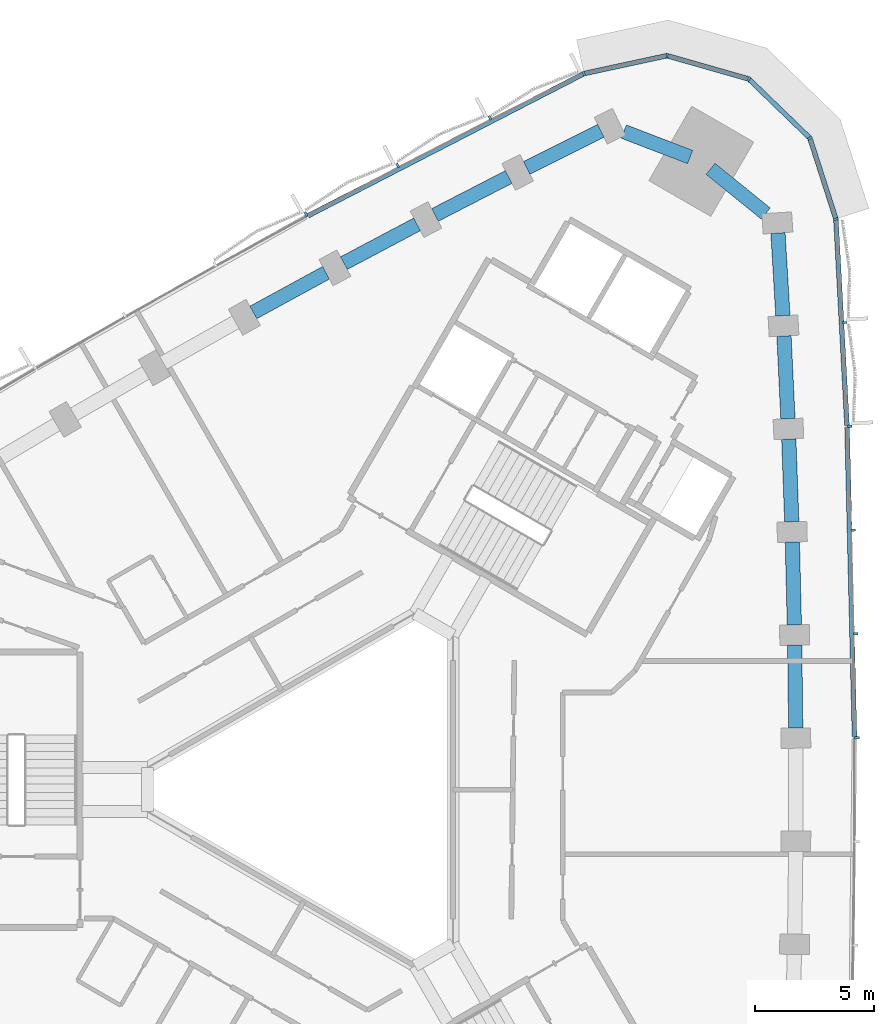
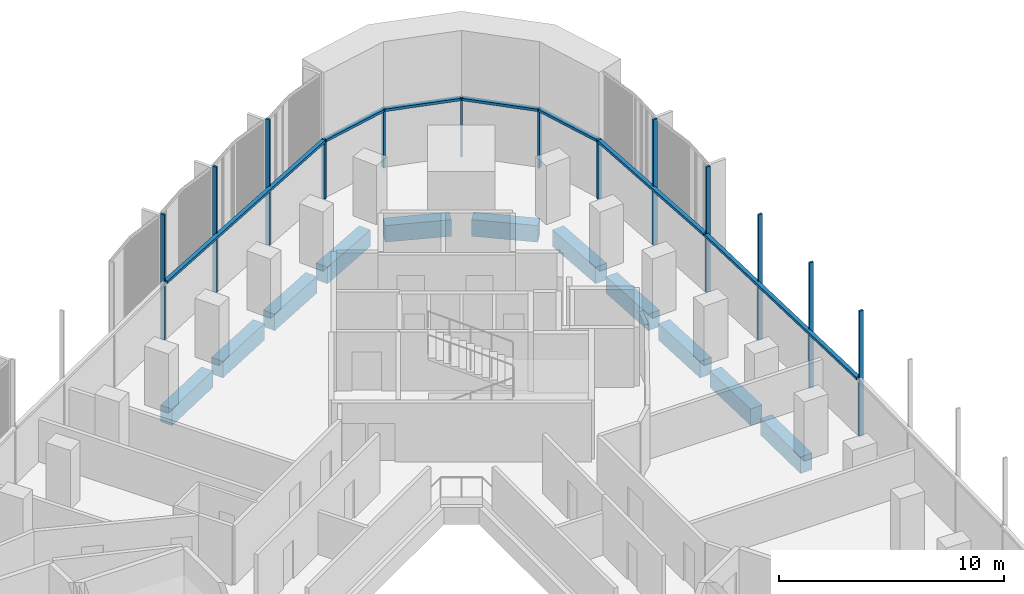
# One storey, part 5 of 14: 20 members, 11 beams, 2 elements without a shape of their own.
"""IFC4 building model written with IfcOpenShell, lengths in metres."""

import ifcopenshell
import ifcopenshell.guid

model = None  # the IFC model being written
_history = None  # IfcOwnerHistory: only IFC2X3 demands one
_inside = {}  # id of a spatial element -> (the spatial element, [elements in it])
_under = {}  # id of a project, library or spatial element -> (it, [spatial elements below it])
_declared = {}  # id of a project -> (the project, [libraries it declares])
_typed = {}  # id of a type object -> (the type object, [elements of that type])
_made_of = {}  # id of a material, layer set ... -> (it, [elements and type objects made of it])


def new_model(schema):
    """Start an empty IFC model of exactly this schema.

    Asked for "IFC4X3", IfcOpenShell would pick the latest addendum, in which some entities
    have other attributes; the version numbers below select the first issue.
    IFC2X3 requires an IfcOwnerHistory on every rooted entity: one is made here for all.
    """
    global model, _history
    if schema == "IFC4X3":
        model = ifcopenshell.file(schema_version=(4, 3, 0, 0))
    else:
        model = ifcopenshell.file(schema=schema)
    _inside.clear()
    _under.clear()
    _declared.clear()
    _typed.clear()
    _made_of.clear()
    _history = None
    if model.schema == "IFC2X3":
        org = make("IfcOrganization", Name="unknown")
        user = make(
            "IfcPersonAndOrganization",
            ThePerson=make("IfcPerson", FamilyName="unknown"),
            TheOrganization=org,
        )
        app = make(
            "IfcApplication",
            ApplicationDeveloper=org,
            Version="unknown",
            ApplicationFullName="unknown",
            ApplicationIdentifier="unknown",
        )
        _history = make(
            "IfcOwnerHistory",
            OwningUser=user,
            OwningApplication=app,
            ChangeAction="ADDED",
            CreationDate=0,
        )
    return model


def make(cls, **values):
    """One entity of the class cls with the attributes given. An attribute that is None is left unset."""
    return model.create_entity(
        cls, **{name: value for name, value in values.items() if value is not None}
    )


def rooted(cls, **values):
    """An entity with a GlobalId (a new one), such as an element, a storey or a relation."""
    return make(cls, GlobalId=ifcopenshell.guid.new(), OwnerHistory=_history, **values)


def si_unit(unit_type, name, prefix=None):
    """IfcSIUnit, for example si_unit("LENGTHUNIT", "METRE", prefix="MILLI")."""
    return make("IfcSIUnit", UnitType=unit_type, Prefix=prefix, Name=name)


def assignment(units):
    """IfcUnitAssignment: the units of a project."""
    return None if units is None else make("IfcUnitAssignment", Units=units)


def point(xyz):
    """IfcCartesianPoint."""
    return None if xyz is None else make("IfcCartesianPoint", Coordinates=xyz)


def direction(xyz):
    """IfcDirection."""
    return None if xyz is None else make("IfcDirection", DirectionRatios=xyz)


def frame(location, z_axis=None, x_axis=None):
    """IfcAxis2Placement3D, a coordinate frame: its origin and axes. An axis left out is left unset."""
    return make(
        "IfcAxis2Placement3D",
        Location=point(location),
        Axis=direction(z_axis),
        RefDirection=direction(x_axis),
    )


def frame_2d(location, x_axis=None):
    """IfcAxis2Placement2D, a coordinate frame in the plane: its origin and x axis."""
    return make(
        "IfcAxis2Placement2D", Location=point(location), RefDirection=direction(x_axis)
    )


def origin():
    """The frame at (0, 0, 0) with its axes left unset."""
    return frame((0.0, 0.0, 0.0))


def origin_2d():
    """The frame at (0, 0) in the plane with its x axis left unset."""
    return frame_2d((0.0, 0.0))


def place(relative_to, where):
    """IfcLocalPlacement: puts the frame where relative to a parent placement (None: the world)."""
    return make(
        "IfcLocalPlacement", PlacementRelTo=relative_to, RelativePlacement=where
    )


def context(
    kind, dimensions, precision=None, world=None, true_north=None, identifier=None
):
    """IfcGeometricRepresentationContext, for example the 3D "Model" context."""
    return make(
        "IfcGeometricRepresentationContext",
        ContextIdentifier=identifier,
        ContextType=kind,
        CoordinateSpaceDimension=dimensions,
        Precision=precision,
        WorldCoordinateSystem=world,
        TrueNorth=true_north,
    )


def subcontext(parent, identifier, kind, view, scale=None):
    """IfcGeometricRepresentationSubContext, for example "Body" below "Model"."""
    return make(
        "IfcGeometricRepresentationSubContext",
        ContextIdentifier=identifier,
        ContextType=kind,
        ParentContext=parent,
        TargetScale=scale,
        TargetView=view,
    )


def project(units=None, contexts=None):
    """IfcProject with its units and contexts."""
    return rooted(
        "IfcProject",
        Name="project",
        RepresentationContexts=contexts,
        UnitsInContext=assignment(units),
    )


def spatial(cls, under=None, at=None, **own):
    """A site, building, storey or space (cls), placed at a placement, below another one or the project."""
    s = rooted(cls, ObjectPlacement=at, **own)
    if under is not None:
        _under.setdefault(under.id(), (under, []))[1].append(s)
    return s


def profile(cls, at=None, kind="AREA", **sizes):
    """A parametric profile (cls). Its sizes go by their IFC names, for example OverallWidth=200.0."""
    return make(cls, ProfileType=kind, Position=at, **sizes)


def rectangle(**sizes):
    """IfcRectangleProfileDef."""
    return profile("IfcRectangleProfileDef", **sizes)


def extrude(swept, where, along, depth):
    """IfcExtrudedAreaSolid: the profile swept, set in the frame where, extruded along a direction by depth."""
    return make(
        "IfcExtrudedAreaSolid",
        SweptArea=swept,
        Position=where,
        ExtrudedDirection=direction(along),
        Depth=depth,
    )


def shape(context_of_items, identifier, shape_type, items):
    """IfcShapeRepresentation: the items that make up one representation, for example the "Body"."""
    return make(
        "IfcShapeRepresentation",
        ContextOfItems=context_of_items,
        RepresentationIdentifier=identifier,
        RepresentationType=shape_type,
        Items=items,
    )


def material(Name=None, Category=None):
    """IfcMaterial."""
    return make("IfcMaterial", Name=Name, Category=Category)


def material_profile(
    of_material, cross_section, Name=None, Category=None, Priority=None
):
    """IfcMaterialProfile: a cross section and its material."""
    return make(
        "IfcMaterialProfile",
        Name=Name,
        Material=of_material,
        Profile=cross_section,
        Priority=Priority,
        Category=Category,
    )


def profile_set(profiles, Name=None, composite=None):
    """IfcMaterialProfileSet."""
    return make(
        "IfcMaterialProfileSet",
        Name=Name,
        MaterialProfiles=profiles,
        CompositeProfile=composite,
    )


def made_of(thing, what):
    """Note that an element or type object is made of a material, layer set ...; save() writes the relation."""
    if what is not None:
        _made_of.setdefault(what.id(), (what, []))[1].append(thing)
    return thing


def type_object(cls, material=None, **own):
    """A type object (cls), such as IfcWallType, which elements share."""
    return made_of(rooted(cls, **own), material)


def element(
    cls,
    number,
    at=None,
    inside=None,
    cuts=None,
    type_object=None,
    material=None,
    context=None,
    identifier="Body",
    shape_type=None,
    held_by="IfcProductDefinitionShape",
    body=None,
    shapes=None,
    **own,
):
    """One element of the class cls, such as IfcWall. Its Tag is "e" and its number.

    at: its placement. inside: the storey or other place that contains it. cuts: it is an
    opening in that element (IfcRelVoidsElement). A single representation is given by context,
    identifier, shape_type and body (its items); several are given by shapes. held_by: the class
    of the entity that holds the representations. save() writes the other relations.
    """
    e = rooted(cls, Tag="e%d" % number, ObjectPlacement=at, **own)
    if body is not None:
        shapes = [shape(context, identifier, shape_type, body)]
    if shapes is not None:
        e.Representation = make(held_by, Representations=shapes)
    if inside is not None:
        _inside.setdefault(inside.id(), (inside, []))[1].append(e)
    if cuts is not None:
        rooted(
            "IfcRelVoidsElement", RelatingBuildingElement=cuts, RelatedOpeningElement=e
        )
    if type_object is not None:
        _typed.setdefault(type_object.id(), (type_object, []))[1].append(e)
    return made_of(e, material)


def aggregate(whole, parts):
    """IfcRelAggregates: a whole, such as a stair, and the parts it consists of."""
    return rooted("IfcRelAggregates", RelatingObject=whole, RelatedObjects=parts)


def save(model, path):
    """Write the relations noted so far, then the file.

    IfcRelAggregates (storeys below a building ...), IfcRelContainedInSpatialStructure (elements
    in a storey), IfcRelDefinesByType, IfcRelAssociatesMaterial and IfcRelDeclares: one each for
    every whole, place, type object, material and project.
    """
    for whole, parts in _under.values():
        aggregate(whole, parts)
    for where, things in _inside.values():
        rooted(
            "IfcRelContainedInSpatialStructure",
            RelatedElements=things,
            RelatingStructure=where,
        )
    for kind, things in _typed.values():
        rooted("IfcRelDefinesByType", RelatedObjects=things, RelatingType=kind)
    for what, things in _made_of.values():
        rooted("IfcRelAssociatesMaterial", RelatedObjects=things, RelatingMaterial=what)
    for by, libraries in _declared.values():
        rooted("IfcRelDeclares", RelatingContext=by, RelatedDefinitions=libraries)
    model.write(path)


model = new_model("IFC4")

# Units and contexts
model_context = context("Model", 3, precision=1e-05, world=origin(), true_north=direction((0.0, 1.0)))
body_context = subcontext(model_context, "Body", "Model", "MODEL_VIEW")
ifc_project = project(units=[si_unit("LENGTHUNIT", "METRE"), si_unit("AREAUNIT", "SQUARE_METRE"), si_unit("VOLUMEUNIT", "CUBIC_METRE"), si_unit("PLANEANGLEUNIT", "RADIAN"), si_unit("MASSUNIT", "GRAM", prefix="KILO")], contexts=[model_context])

# Site, building, storey
site_placement = place(None, origin())
site = spatial("IfcSite", under=ifc_project, at=site_placement, CompositionType="ELEMENT")
building_placement = place(site_placement, origin())
building = spatial("IfcBuilding", under=site, at=building_placement, Name="Tamra Quay Hotel Tower", CompositionType="ELEMENT")
storey_placement = place(building_placement, frame((0.0, 0.0, 139.60009765625)))
storey = spatial("IfcBuildingStorey", under=building, at=storey_placement, Name="L34", CompositionType="ELEMENT", Elevation=139.60009765625)

# Curtain wall, members
ifc_material_1 = material(Name="Aluminium 6063 anodised dark grey", Category="aluminium")
curtain_wall_type_1 = type_object("IfcCurtainWallType", Name="CW1 CURTAIN WALL", PredefinedType="NOTDEFINED", material=ifc_material_1)
curtain_wall_1_placement = place(storey_placement, origin())
curtain_wall_1 = element("IfcCurtainWall", 1, at=curtain_wall_1_placement, inside=storey, type_object=curtain_wall_type_1, Name="CW1 east face L34", PredefinedType="NOTDEFINED")
ifc_material_profile_1 = material_profile(ifc_material_1, rectangle(XDim=0.199951171875, YDim=0.10009765625, at=origin_2d()), Name="MULLION 100X200")
ifc_profile_set_1 = profile_set([ifc_material_profile_1], Name="Aluminium 6063 anodised dark grey")
member_type_1 = type_object("IfcMemberType", Name="MULLION CW1 Z3", PredefinedType="MULLION", material=ifc_profile_set_1)
member_1_placement = place(storey_placement, frame((21.7314453125, 2.177001953125, 0.0), z_axis=(0.0, 0.0, 1.0), x_axis=(0.999982128389, 0.005978536749, 0.0)))
member_1 = element("IfcMember", 2, at=member_1_placement, type_object=member_type_1, Name="CW1 mullion L34.E.7", PredefinedType="MULLION", context=body_context, shape_type="SweptSolid", body=[
    extrude(rectangle(XDim=0.199951171875, YDim=0.10009765625, at=origin_2d()), origin(), (0.0, 0.0, 1.0), 6.7998046875),
])
member_2_placement = place(storey_placement, frame((21.679443359375, 6.52880859375, 0.0), z_axis=(0.0, 0.0, 1.0), x_axis=(0.999839304234, 0.017926675875, 0.0)))
member_2 = element("IfcMember", 3, at=member_2_placement, type_object=member_type_1, Name="CW1 mullion L34.E.8", PredefinedType="MULLION", context=body_context, shape_type="SweptSolid", body=[
    extrude(rectangle(XDim=0.199951171875, YDim=0.10009765625, at=origin_2d()), origin(), (0.0, 0.0, 1.0), 6.7998046875),
])
member_3_placement = place(storey_placement, frame((21.575439453125, 10.88134765625, 0.0), z_axis=(0.0, 0.0, 1.0), x_axis=(0.999553757047, 0.029871169599, 0.0)))
member_3 = element("IfcMember", 4, at=member_3_placement, type_object=member_type_1, Name="CW1 mullion L34.E.9", PredefinedType="MULLION", context=body_context, shape_type="SweptSolid", body=[
    extrude(rectangle(XDim=0.199951171875, YDim=0.10009765625, at=origin_2d()), origin(), (0.0, 0.0, 1.0), 6.7998046875),
])
member_4_placement = place(storey_placement, frame((21.41943359375, 15.232421875, 0.0), z_axis=(0.0, 0.0, 1.0), x_axis=(0.99912611643, 0.041797170557, 0.0)))
member_4 = element("IfcMember", 5, at=member_4_placement, type_object=member_type_1, Name="CW1 mullion L34.E.10", PredefinedType="MULLION", context=body_context, shape_type="SweptSolid", body=[
    extrude(rectangle(XDim=0.199951171875, YDim=0.10009765625, at=origin_2d()), origin(), (0.0, 0.0, 1.0), 6.7998046875),
])
member_5_placement = place(storey_placement, frame((21.211669921875, 19.57958984375, 0.0), z_axis=(0.0, 0.0, 1.0), x_axis=(0.99855735675, 0.053695486602, 0.0)))
member_5 = element("IfcMember", 6, at=member_5_placement, type_object=member_type_1, Name="CW1 mullion L34.E.11", PredefinedType="MULLION", context=body_context, shape_type="SweptSolid", body=[
    extrude(rectangle(XDim=0.199951171875, YDim=0.10009765625, at=origin_2d()), origin(), (0.0, 0.0, 1.0), 6.7998046875),
])
member_6_placement = place(storey_placement, frame((20.852294921875, 23.918212890625, 0.0), z_axis=(0.0, 0.0, 1.0), x_axis=(0.982883217826, 0.184229693905, 0.0)))
member_6 = element("IfcMember", 7, at=member_6_placement, type_object=member_type_1, Name="CW1 mullion L34.E.12", PredefinedType="MULLION", context=body_context, shape_type="SweptSolid", body=[
    extrude(rectangle(XDim=0.199951171875, YDim=0.10009765625, at=origin_2d()), origin(), (0.0, 0.0, 1.0), 3.199951171875),
])
member_7_placement = place(storey_placement, frame((19.76171875, 27.312255859375, 0.0), z_axis=(0.0, 0.0, 1.0), x_axis=(0.849197833806, 0.52807484229, 0.0)))
member_7 = element("IfcMember", 8, at=member_7_placement, type_object=member_type_1, Name="CW1 mullion L34.E.13", PredefinedType="MULLION", context=body_context, shape_type="SweptSolid", body=[
    extrude(rectangle(XDim=0.199951171875, YDim=0.10009765625, at=origin_2d()), origin(), (0.0, 0.0, 1.0), 3.199951171875),
])
member_8_placement = place(storey_placement, frame((17.199951171875, 29.791259765625, 0.0), z_axis=(0.0, 0.0, 1.0), x_axis=(0.5, 0.866025403784, 0.0)))
member_8 = element("IfcMember", 9, at=member_8_placement, type_object=member_type_1, Name="CW1 mullion L34.E.14", PredefinedType="MULLION", context=body_context, shape_type="SweptSolid", body=[
    extrude(rectangle(XDim=0.199951171875, YDim=0.10009765625, at=origin_2d()), origin(), (0.0, 0.0, 1.0), 3.199951171875),
])
member_9_placement = place(storey_placement, frame((13.772216796875, 30.770263671875, 0.0), z_axis=(0.0, 0.0, 1.0), x_axis=(0.032727311619, 0.99946431806, 0.0)))
member_9 = element("IfcMember", 10, at=member_9_placement, type_object=member_type_1, Name="CW1 mullion L34.E.15", PredefinedType="MULLION", context=body_context, shape_type="SweptSolid", body=[
    extrude(rectangle(XDim=0.199951171875, YDim=0.10009765625, at=origin_2d()), origin(), (0.0, 0.0, 1.0), 3.199951171875),
])

curtain_wall_type_2 = type_object("IfcCurtainWallType", Name="CW2 CURTAIN WALL", PredefinedType="NOTDEFINED", material=ifc_material_1)
curtain_wall_2_placement = place(storey_placement, origin())
curtain_wall_2 = element("IfcCurtainWall", 11, at=curtain_wall_2_placement, inside=storey, type_object=curtain_wall_type_2, Name="CW2 north-west face L34", PredefinedType="NOTDEFINED")
ifc_material_profile_2 = material_profile(ifc_material_1, rectangle(XDim=0.199951171875, YDim=0.10009765625, at=origin_2d()), Name="MULLION 100X200")
ifc_profile_set_2 = profile_set([ifc_material_profile_2], Name="Aluminium 6063 anodised dark grey")
member_type_2 = type_object("IfcMemberType", Name="MULLION CW2 Z3", PredefinedType="MULLION", material=ifc_profile_set_2)
member_10_placement = place(storey_placement, frame((10.28759765625, 30.017578125, 0.0), z_axis=(0.0, 0.0, 1.0), x_axis=(-0.33189401386, 0.943316682543, 0.0)))
member_10 = element("IfcMember", 12, at=member_10_placement, type_object=member_type_2, Name="CW2 mullion L34.NW.1", PredefinedType="MULLION", context=body_context, shape_type="SweptSolid", body=[
    extrude(rectangle(XDim=0.199951171875, YDim=0.10009765625, at=origin_2d()), origin(), (0.0, 0.0, 1.0), 3.199951171875),
])
member_11_placement = place(storey_placement, frame((6.3505859375, 28.15966796875, 0.0), z_axis=(0.0, 0.0, 1.0), x_axis=(-0.452777022909, 0.891623781382, 0.0)))
member_11 = element("IfcMember", 13, at=member_11_placement, type_object=member_type_2, Name="CW2 mullion L34.NW.2", PredefinedType="MULLION", context=body_context, shape_type="SweptSolid", body=[
    extrude(rectangle(XDim=0.199951171875, YDim=0.10009765625, at=origin_2d()), origin(), (0.0, 0.0, 1.0), 6.7998046875),
])
member_12_placement = place(storey_placement, frame((2.48193359375, 26.166015625, 0.0), z_axis=(0.0, 0.0, 1.0), x_axis=(-0.463365646706, 0.886167183692, 0.0)))
member_12 = element("IfcMember", 14, at=member_12_placement, type_object=member_type_2, Name="CW2 mullion L34.NW.3", PredefinedType="MULLION", context=body_context, shape_type="SweptSolid", body=[
    extrude(rectangle(XDim=0.199951171875, YDim=0.10009765625, at=origin_2d()), origin(), (0.0, 0.0, 1.0), 6.7998046875),
])
member_13_placement = place(storey_placement, frame((-1.3642578125, 24.12548828125, 0.0), z_axis=(0.0, 0.0, 1.0), x_axis=(-0.47390768681, 0.88057453085, 0.0)))
member_13 = element("IfcMember", 15, at=member_13_placement, type_object=member_type_2, Name="CW2 mullion L34.NW.4", PredefinedType="MULLION", context=body_context, shape_type="SweptSolid", body=[
    extrude(rectangle(XDim=0.199951171875, YDim=0.10009765625, at=origin_2d()), origin(), (0.0, 0.0, 1.0), 6.7998046875),
])

# Beams
ifc_material_2 = material(Name="Concrete M60", Category="concrete")
ifc_material_profile_3 = material_profile(ifc_material_2, rectangle(XDim=0.60009765625, YDim=0.89990234375, at=origin_2d()), Name="SPANDREL BEAM RC 600x900")
ifc_profile_set_3 = profile_set([ifc_material_profile_3], Name="Concrete M60")
beam_type = type_object("IfcBeamType", Name="SPANDREL BEAM RC 600x900", PredefinedType="SPANDREL", material=ifc_profile_set_3)
beam_1_placement = place(storey_placement, frame((19.165771484375, 2.586181640625, -0.85009765625), z_axis=(-0.011951617666, 0.999928576867, 0.0), x_axis=(-0.999928576867, -0.011951617666, 0.0)))
element("IfcBeam", 16, at=beam_1_placement, inside=storey, type_object=beam_type, Name="BM-SP3-006-L34", PredefinedType="SPANDREL", context=body_context, shape_type="SweptSolid", body=[
    extrude(rectangle(XDim=0.60009765625, YDim=0.89990234375, at=origin_2d()), origin(), (0.0, 0.0, 1.0), 3.47265625),
])
beam_2_placement = place(storey_placement, frame((19.10888671875, 6.90869140625, -0.85009765625), z_axis=(-0.023906514803, 0.999714198434, 0.0), x_axis=(-0.999714198434, -0.023906514803, 0.0)))
element("IfcBeam", 17, at=beam_2_placement, inside=storey, type_object=beam_type, Name="BM-SP3-007-L34", PredefinedType="SPANDREL", context=body_context, shape_type="SweptSolid", body=[
    extrude(rectangle(XDim=0.60009765625, YDim=0.89990234375, at=origin_2d()), origin(), (0.0, 0.0, 1.0), 3.47216796875),
])
beam_3_placement = place(storey_placement, frame((19.00048828125, 11.2294921875, -0.85009765625), z_axis=(-0.035786826945, 0.999359446354, 0.0), x_axis=(-0.999359446354, -0.035786826945, 0.0)))
element("IfcBeam", 18, at=beam_3_placement, inside=storey, type_object=beam_type, Name="BM-SP3-008-L34", PredefinedType="SPANDREL", context=body_context, shape_type="SweptSolid", body=[
    extrude(rectangle(XDim=0.60009765625, YDim=0.89990234375, at=origin_2d()), origin(), (0.0, 0.0, 1.0), 3.472412109375),
])
beam_4_placement = place(storey_placement, frame((18.840576171875, 15.548828125, -0.85009765625), z_axis=(-0.047732145575, 0.998860171535, 0.0), x_axis=(-0.998860171535, -0.047732145575, 0.0)))
element("IfcBeam", 19, at=beam_4_placement, inside=storey, type_object=beam_type, Name="BM-SP3-009-L34", PredefinedType="SPANDREL", context=body_context, shape_type="SweptSolid", body=[
    extrude(rectangle(XDim=0.60009765625, YDim=0.89990234375, at=origin_2d()), origin(), (0.0, 0.0, 1.0), 3.472900390625),
])
beam_5_placement = place(storey_placement, frame((18.629150390625, 19.86669921875, -0.85009765625), z_axis=(-0.059620475238, 0.998221117254, 0.0), x_axis=(-0.998221117254, -0.059620475238, 0.0)))
element("IfcBeam", 20, at=beam_5_placement, inside=storey, type_object=beam_type, Name="BM-SP3-010-L34", PredefinedType="SPANDREL", context=body_context, shape_type="SweptSolid", body=[
    extrude(rectangle(XDim=0.60009765625, YDim=0.89990234375, at=origin_2d()), origin(), (0.0, 0.0, 1.0), 3.472412109375),
])
beam_6_placement = place(storey_placement, frame((17.909912109375, 24.151123046875, -0.85009765625), z_axis=(-0.777183767602, 0.629273701482, 0.0), x_axis=(-0.629273701482, -0.777183767602, 0.0)))
element("IfcBeam", 21, at=beam_6_placement, inside=storey, type_object=beam_type, Name="BM-SP3-011-L34", PredefinedType="SPANDREL", context=body_context, shape_type="SweptSolid", body=[
    extrude(rectangle(XDim=0.60009765625, YDim=0.89990234375, at=origin_2d()), origin(), (0.0, 0.0, 1.0), 2.977783203125),
])
beam_7_placement = place(storey_placement, frame((14.74072265625, 26.5185546875, -0.85009765625), z_axis=(-0.933527198951, 0.358506581278, 0.0), x_axis=(-0.358506581278, -0.933527198951, 0.0)))
element("IfcBeam", 22, at=beam_7_placement, inside=storey, type_object=beam_type, Name="BM-SP3-012-L34", PredefinedType="SPANDREL", context=body_context, shape_type="SweptSolid", body=[
    extrude(rectangle(XDim=0.60009765625, YDim=0.89990234375, at=origin_2d()), origin(), (0.0, 0.0, 1.0), 2.97802734375),
])
beam_8_placement = place(storey_placement, frame((10.995849609375, 27.620361328125, -0.85009765625), z_axis=(-0.894314670292, -0.447438566174, 0.0), x_axis=(0.447438566174, -0.894314670292, 0.0)))
element("IfcBeam", 23, at=beam_8_placement, inside=storey, type_object=beam_type, Name="BM-SP3-013-L34", PredefinedType="SPANDREL", context=body_context, shape_type="SweptSolid", body=[
    extrude(rectangle(XDim=0.60009765625, YDim=0.89990234375, at=origin_2d()), origin(), (0.0, 0.0, 1.0), 3.472412109375),
])
beam_9_placement = place(storey_placement, frame((7.132568359375, 25.681640625, -0.85009765625), z_axis=(-0.888919913451, -0.458062645792, 0.0), x_axis=(0.458062645792, -0.888919913451, 0.0)))
element("IfcBeam", 24, at=beam_9_placement, inside=storey, type_object=beam_type, Name="BM-SP3-014-L34", PredefinedType="SPANDREL", context=body_context, shape_type="SweptSolid", body=[
    extrude(rectangle(XDim=0.60009765625, YDim=0.89990234375, at=origin_2d()), origin(), (0.0, 0.0, 1.0), 3.472900390625),
])
for number, where, z_axis, x_axis, name in (
    (25, (3.292236328125, 23.697021484375, -0.85009765625), (-0.883411391477, -0.468598243071, 0.0), (0.468598243071, -0.883411391477, 0.0), "BM-SP3-015-L34"),
    (26, (-0.523681640625, 21.6669921875, -0.85009765625), (-0.877731617539, -0.479152593202, 0.0), (0.479152593202, -0.877731617539, 0.0), "BM-SP3-016-L34"),
):
    element("IfcBeam", number, at=place(storey_placement, frame(where, z_axis=z_axis, x_axis=x_axis)), inside=storey, type_object=beam_type, Name=name, PredefinedType="SPANDREL", context=body_context, shape_type="SweptSolid", body=[
        extrude(rectangle(XDim=0.60009765625, YDim=0.89990234375, at=origin_2d()), origin(), (0.0, 0.0, 1.0), 3.472412109375),
    ])

# Member
ifc_material_profile_4 = material_profile(ifc_material_1, rectangle(XDim=0.199951171875, YDim=0.139892578125, at=origin_2d()), Name="TRANSOM 200X140")
ifc_profile_set_4 = profile_set([ifc_material_profile_4], Name="Aluminium 6063 anodised dark grey")
member_type_3 = type_object("IfcMemberType", Name="TRANSOM CW1 Z3", PredefinedType="USERDEFINED", material=ifc_profile_set_4)
member_14_placement = place(storey_placement, frame((21.630859375, 2.226318359375, 3.1298828125), z_axis=(-0.023894704372, 0.999714480791, 0.0), x_axis=(-0.999714480791, -0.023894704372, 0.0)))
member_14 = element("IfcMember", 27, at=member_14_placement, type_object=member_type_3, Name="CW1 transom L34.E.7", ObjectType="TRANSOM", PredefinedType="USERDEFINED", context=body_context, shape_type="SweptSolid", body=[
    extrude(rectangle(XDim=0.199951171875, YDim=0.139892578125, at=origin_2d()), origin(), (0.0, 0.0, 1.0), 12.95556640625),
])

member_15_placement = place(storey_placement, frame((21.317138671875, 15.278076171875, 3.1298828125), z_axis=(-0.053693818243, 0.998557446461, 0.0), x_axis=(-0.998557446461, -0.053693818243, 0.0)))
member_15 = element("IfcMember", 28, at=member_15_placement, type_object=member_type_3, Name="CW1 transom L34.E.10", ObjectType="TRANSOM", PredefinedType="USERDEFINED", context=body_context, shape_type="SweptSolid", body=[
    extrude(rectangle(XDim=0.199951171875, YDim=0.139892578125, at=origin_2d()), origin(), (0.0, 0.0, 1.0), 8.602783203125),
])

member_16_placement = place(storey_placement, frame((20.8369140625, 23.9658203125, 3.1298828125), z_axis=(-0.305936194626, 0.952052017916, 0.0), x_axis=(-0.952052017916, -0.305936194626, 0.0)))
member_16 = element("IfcMember", 29, at=member_16_placement, type_object=member_type_3, Name="CW1 transom L34.E.12", ObjectType="TRANSOM", PredefinedType="USERDEFINED", context=body_context, shape_type="SweptSolid", body=[
    extrude(rectangle(XDim=0.199951171875, YDim=0.139892578125, at=origin_2d()), origin(), (0.0, 0.0, 1.0), 3.465087890625),
])

member_17_placement = place(storey_placement, frame((19.725830078125, 27.346923828125, 3.1298828125), z_axis=(-0.718602141767, 0.695421427516, 0.0), x_axis=(-0.695421427516, -0.718602141767, 0.0)))
member_17 = element("IfcMember", 30, at=member_17_placement, type_object=member_type_3, Name="CW1 transom L34.E.13", ObjectType="TRANSOM", PredefinedType="USERDEFINED", context=body_context, shape_type="SweptSolid", body=[
    extrude(rectangle(XDim=0.199951171875, YDim=0.139892578125, at=origin_2d()), origin(), (0.0, 0.0, 1.0), 3.465087890625),
])

member_18_placement = place(storey_placement, frame((17.15185546875, 29.804931640625, 3.1298828125), z_axis=(-0.961558507518, 0.274600139513, 0.0), x_axis=(-0.274600139513, -0.961558507518, 0.0)))
member_18 = element("IfcMember", 31, at=member_18_placement, type_object=member_type_3, Name="CW1 transom L34.E.14", ObjectType="TRANSOM", PredefinedType="USERDEFINED", context=body_context, shape_type="SweptSolid", body=[
    extrude(rectangle(XDim=0.199951171875, YDim=0.139892578125, at=origin_2d()), origin(), (0.0, 0.0, 1.0), 3.46484375),
])

member_19_placement = place(storey_placement, frame((13.723388671875, 30.759521484375, 3.1298828125), z_axis=(-0.977466057655, -0.211092648218, 0.0), x_axis=(0.211092648218, -0.977466057655, 0.0)))
member_19 = element("IfcMember", 32, at=member_19_placement, type_object=member_type_3, Name="CW1 transom L34.E.15", ObjectType="TRANSOM", PredefinedType="USERDEFINED", context=body_context, shape_type="SweptSolid", body=[
    extrude(rectangle(XDim=0.199951171875, YDim=0.139892578125, at=origin_2d()), origin(), (0.0, 0.0, 1.0), 3.465087890625),
])

aggregate(curtain_wall_1, [member_1, member_14, member_2, member_3, member_4, member_15, member_5, member_6, member_16, member_7, member_17, member_8, member_18, member_9, member_19])

ifc_material_profile_5 = material_profile(ifc_material_1, rectangle(XDim=0.199951171875, YDim=0.139892578125, at=origin_2d()), Name="TRANSOM 200X140")
ifc_profile_set_5 = profile_set([ifc_material_profile_5], Name="Aluminium 6063 anodised dark grey")
member_type_4 = type_object("IfcMemberType", Name="TRANSOM CW2 Z3", PredefinedType="USERDEFINED", material=ifc_profile_set_5)
member_20_placement = place(storey_placement, frame((10.242919921875, 29.995361328125, 3.1298828125), z_axis=(-0.888910612122, -0.458080695574, 0.0), x_axis=(0.458080695574, -0.888910612122, 0.0)))
member_20 = element("IfcMember", 33, at=member_20_placement, type_object=member_type_4, Name="CW2 transom L34.NW.1", ObjectType="TRANSOM", PredefinedType="USERDEFINED", context=body_context, shape_type="SweptSolid", body=[
    extrude(rectangle(XDim=0.199951171875, YDim=0.139892578125, at=origin_2d()), origin(), (0.0, 0.0, 1.0), 12.954833984375),
])

aggregate(curtain_wall_2, [member_10, member_20, member_11, member_12, member_13])

save(model, "model.ifc")
